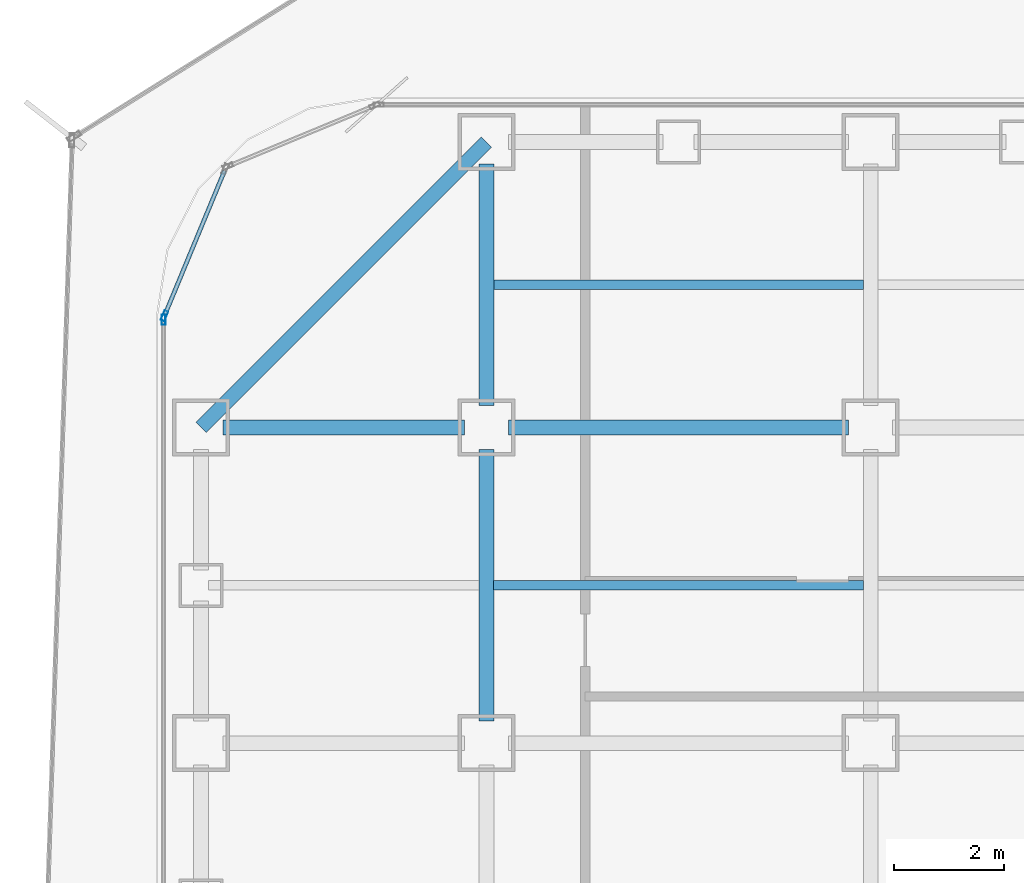
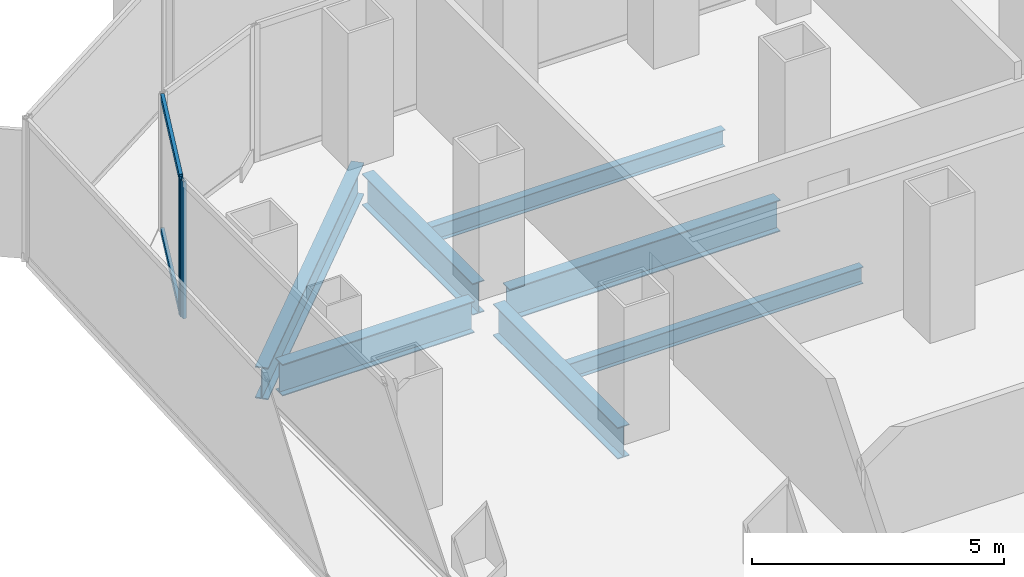
# One storey, part 10 of 22: 7 beams, 4 members, 2 elements without a shape of their own.
"""IFC4 building model written with IfcOpenShell, lengths in metres."""

from ifc_helpers import new_model, si_unit, direction, frame, origin, origin_2d, place, context, subcontext, project, spatial, hollow_rectangle, i_section, extrude, source, transform, mapped, material, layer, layer_set, material_profile, profile_set, type_object, element, aggregate, save


model = new_model("IFC4")

# Units and contexts
model_context = context("Model", 3, precision=1e-05, world=origin(), true_north=direction((0.0, 1.0)))
body_context = subcontext(model_context, "Body", "Model", "MODEL_VIEW")
ifc_project = project(units=[si_unit("LENGTHUNIT", "METRE"), si_unit("AREAUNIT", "SQUARE_METRE"), si_unit("VOLUMEUNIT", "CUBIC_METRE"), si_unit("PLANEANGLEUNIT", "RADIAN"), si_unit("MASSUNIT", "GRAM", prefix="KILO")], contexts=[model_context])

# Site, building, storey
site_placement = place(None, origin())
site = spatial("IfcSite", under=ifc_project, at=site_placement, CompositionType="ELEMENT")
building_placement = place(site_placement, origin())
building = spatial("IfcBuilding", under=site, at=building_placement, Name="Kolveth Station Tower", CompositionType="ELEMENT")
storey_placement = place(building_placement, frame((0.0, 0.0, 69.300048828125)))
storey = spatial("IfcBuildingStorey", under=building, at=storey_placement, Name="L18", CompositionType="ELEMENT", Elevation=69.300048828125)

# Beams
ifc_material_1 = material(Name="Steel S355", Category="steel")
ifc_material_profile_1 = material_profile(ifc_material_1, i_section(OverallWidth=0.26904296875, OverallDepth=0.77490234375, WebThickness=0.01708984375, FlangeThickness=0.0283203125, at=origin_2d()), Name="W760x220")
ifc_profile_set_1 = profile_set([ifc_material_profile_1], Name="Steel S355")
beam_type_1 = type_object("IfcBeamType", Name="Beam_SP1", PredefinedType="SPANDREL", material=ifc_profile_set_1)
shared_shape_1 = source(origin(), body_context, "Body", "SweptSolid", [
    extrude(i_section(OverallWidth=0.26904296875, OverallDepth=0.77490234375, WebThickness=0.01708984375, FlangeThickness=0.0283203125, at=origin_2d()), origin(), (0.0, 0.0, 1.0), 7.353759765625),
])
beam_1_placement = place(storey_placement, frame((6.0, 39.699951171875, -0.66748046875), z_axis=(-0.707106781187, -0.707106781187, 0.0), x_axis=(0.707106781187, -0.707106781187, 0.0)))
element("IfcBeam", 1, at=beam_1_placement, inside=storey, type_object=beam_type_1, Name="L18 Corner Edge Girder BM-L18-CNR-NW", PredefinedType="SPANDREL", context=body_context, shape_type="MappedRepresentation", body=[
    mapped(shared_shape_1, transform((0.0, 0.0, 0.0), x_axis=(1.0, 0.0, 0.0), y_axis=(0.0, 1.0, 0.0), z_axis=(0.0, 0.0, 1.0), scale=1.0)),
])
ifc_material_profile_2 = material_profile(ifc_material_1, i_section(OverallWidth=0.26708984375, OverallDepth=0.76611328125, WebThickness=0.014892578125, FlangeThickness=0.023681640625, at=origin_2d()), Name="W760x185")
ifc_profile_set_2 = profile_set([ifc_material_profile_2], Name="Steel S355")
beam_type_2 = type_object("IfcBeamType", Name="Beam_B3", PredefinedType="BEAM", material=ifc_profile_set_2)
shared_shape_2 = source(origin(), body_context, "Body", "SweptSolid", [
    extrude(i_section(OverallWidth=0.26708984375, OverallDepth=0.76611328125, WebThickness=0.014892578125, FlangeThickness=0.023681640625, at=origin_2d()), origin(), (0.0, 0.0, 1.0), 4.400146484375),
])
for number, where, z_axis, x_axis, name in (
    (2, (1.199951171875, 34.5, -0.6630859375), (1.0, 0.0, 0.0), (0.0, 1.0, 0.0), "L18 Primary Girder BM-L18-GY345-1"),
    (3, (6.0, 34.89990234375, -0.6630859375), (0.0, 1.0, 0.0), (-1.0, 0.0, 0.0), "L18 Primary Girder BM-L18-GX60-7"),
):
    element("IfcBeam", number, at=place(storey_placement, frame(where, z_axis=z_axis, x_axis=x_axis)), inside=storey, type_object=beam_type_2, Name=name, PredefinedType="BEAM", context=body_context, shape_type="MappedRepresentation", body=[
        mapped(shared_shape_2, transform((0.0, 0.0, 0.0), x_axis=(1.0, 0.0, 0.0), y_axis=(0.0, 1.0, 0.0), z_axis=(0.0, 0.0, 1.0), scale=1.0)),
    ])
shared_shape_3 = source(origin(), body_context, "Body", "SweptSolid", [
    extrude(i_section(OverallWidth=0.26708984375, OverallDepth=0.76611328125, WebThickness=0.014892578125, FlangeThickness=0.023681640625, at=origin_2d()), origin(), (0.0, 0.0, 1.0), 6.2001953125),
])
beam_2_placement = place(storey_placement, frame((6.39990234375, 34.5, -0.6630859375), z_axis=(1.0, 0.0, 0.0), x_axis=(0.0, 1.0, 0.0)))
element("IfcBeam", 4, at=beam_2_placement, inside=storey, type_object=beam_type_2, Name="L18 Primary Girder BM-L18-GY345-2", PredefinedType="BEAM", context=body_context, shape_type="MappedRepresentation", body=[
    mapped(shared_shape_3, transform((0.0, 0.0, 0.0), x_axis=(1.0, 0.0, 0.0), y_axis=(0.0, 1.0, 0.0), z_axis=(0.0, 0.0, 1.0), scale=1.0)),
])
shared_shape_4 = source(origin(), body_context, "Body", "SweptSolid", [
    extrude(i_section(OverallWidth=0.26708984375, OverallDepth=0.76611328125, WebThickness=0.014892578125, FlangeThickness=0.023681640625, at=origin_2d()), origin(), (0.0, 0.0, 1.0), 4.9501953125),
])
beam_3_placement = place(storey_placement, frame((6.0, 29.14990234375, -0.6630859375), z_axis=(0.0, 1.0, 0.0), x_axis=(-1.0, 0.0, 0.0)))
element("IfcBeam", 5, at=beam_3_placement, inside=storey, type_object=beam_type_2, Name="L18 Primary Girder BM-L18-GX60-6", PredefinedType="BEAM", context=body_context, shape_type="MappedRepresentation", body=[
    mapped(shared_shape_4, transform((0.0, 0.0, 0.0), x_axis=(1.0, 0.0, 0.0), y_axis=(0.0, 1.0, 0.0), z_axis=(0.0, 0.0, 1.0), scale=1.0)),
])
ifc_material_profile_3 = material_profile(ifc_material_1, i_section(OverallWidth=0.177978515625, OverallDepth=0.406982421875, WebThickness=0.0078125, FlangeThickness=0.0126953125, at=origin_2d()), Name="W410x60")
ifc_profile_set_3 = profile_set([ifc_material_profile_3], Name="Steel S355")
beam_type_3 = type_object("IfcBeamType", Name="Beam_J1", PredefinedType="JOIST", material=ifc_profile_set_3)
shared_shape_5 = source(origin(), body_context, "Body", "SweptSolid", [
    extrude(i_section(OverallWidth=0.177978515625, OverallDepth=0.406982421875, WebThickness=0.0078125, FlangeThickness=0.0126953125, at=origin_2d()), origin(), (0.0, 0.0, 1.0), 6.73681640625),
])
for number, where, z_axis, x_axis, name in (
    (6, (6.131591796875, 31.625, -0.483642578125), (1.0, 0.0, 0.0), (0.0, 1.0, 0.0), "L18 Secondary Joist JST-L18-2-6"),
    (7, (6.131591796875, 37.10009765625, -0.483642578125), (1.0, 0.0, 0.0), (0.0, 1.0, 0.0), "L18 Secondary Joist JST-L18-2-7"),
):
    element("IfcBeam", number, at=place(storey_placement, frame(where, z_axis=z_axis, x_axis=x_axis)), inside=storey, type_object=beam_type_3, Name=name, PredefinedType="JOIST", context=body_context, shape_type="MappedRepresentation", body=[
        mapped(shared_shape_5, transform((0.0, 0.0, 0.0), x_axis=(1.0, 0.0, 0.0), y_axis=(0.0, 1.0, 0.0), z_axis=(0.0, 0.0, 1.0), scale=1.0)),
    ])

# Curtain wall, member
ifc_material_2 = material(Name="Aluminium 6063-T6 and low-E dark glass", Category="aluminium")
ifc_layer = layer(ifc_material_2, 0.179931640625)
ifc_layer_set = layer_set([ifc_layer], Name="Aluminium 6063-T6 and low-E dark glass")
curtain_wall_type = type_object("IfcCurtainWallType", Name="CurtainWall_CW-Z1", PredefinedType="NOTDEFINED", material=ifc_layer_set)
curtain_wall_1_placement = place(storey_placement, origin())
curtain_wall_1 = element("IfcCurtainWall", 8, at=curtain_wall_1_placement, inside=storey, type_object=curtain_wall_type, Name="L18 Inner Thermal Curtain Wall 8", PredefinedType="NOTDEFINED")
ifc_material_3 = material(Name="Black anodized aluminium 6063-T6", Category="aluminium")
ifc_material_profile_4 = material_profile(ifc_material_3, hollow_rectangle(XDim=0.074951171875, YDim=0.18994140625, WallThickness=0.0048828125, at=origin_2d()), Name="ALU-75x190x5")
ifc_profile_set_4 = profile_set([ifc_material_profile_4], Name="Black anodized aluminium 6063-T6")
member_type_1 = type_object("IfcMemberType", Name="Mullion_ML1", PredefinedType="MULLION", material=ifc_profile_set_4)
shared_shape_6 = source(origin(), body_context, "Body", "SweptSolid", [
    extrude(hollow_rectangle(XDim=0.074951171875, YDim=0.18994140625, WallThickness=0.0048828125, at=origin_2d()), origin(), (0.0, 0.0, 1.0), 3.320068359375),
])
member_1_placement = place(storey_placement, frame((0.13427734375, 36.53466796875, 0.0), z_axis=(0.0, 0.0, 1.0), x_axis=(0.923883857728, -0.382672990201, 0.0)))
member_1 = element("IfcMember", 9, at=member_1_placement, type_object=member_type_1, Name="CW-Z1 mullion 2", PredefinedType="MULLION", context=body_context, shape_type="MappedRepresentation", body=[
    mapped(shared_shape_6, transform((0.0, 0.0, 0.0), x_axis=(1.0, 0.0, 0.0), y_axis=(0.0, 1.0, 0.0), z_axis=(0.0, 0.0, 1.0), scale=1.0)),
])

curtain_wall_2_placement = place(storey_placement, origin())
curtain_wall_2 = element("IfcCurtainWall", 10, at=curtain_wall_2_placement, inside=storey, type_object=curtain_wall_type, Name="L18 Inner Thermal Curtain Wall 9", PredefinedType="NOTDEFINED")
member_2_placement = place(storey_placement, frame((0.1201171875, 36.46240234375, 0.0), z_axis=(0.0, 0.0, 1.0), x_axis=(1.0, 0.0, 0.0)))
member_2 = element("IfcMember", 11, at=member_2_placement, type_object=member_type_1, Name="CW-Z1 mullion 1", PredefinedType="MULLION", context=body_context, shape_type="MappedRepresentation", body=[
    mapped(shared_shape_6, transform((0.0, 0.0, 0.0), x_axis=(1.0, 0.0, 0.0), y_axis=(0.0, 1.0, 0.0), z_axis=(0.0, 0.0, 1.0), scale=1.0)),
])
aggregate(curtain_wall_2, [member_2])

# Member
ifc_material_profile_5 = material_profile(ifc_material_3, hollow_rectangle(XDim=0.074951171875, YDim=0.159912109375, WallThickness=0.0048828125, at=origin_2d()), Name="ALU-75x160x5")
ifc_profile_set_5 = profile_set([ifc_material_profile_5], Name="Black anodized aluminium 6063-T6")
member_type_2 = type_object("IfcMemberType", Name="Transom_TR1", PredefinedType="USERDEFINED", material=ifc_profile_set_5)
shared_shape_7 = source(origin(), body_context, "Body", "SweptSolid", [
    extrude(hollow_rectangle(XDim=0.074951171875, YDim=0.159912109375, WallThickness=0.0048828125, at=origin_2d()), origin(), (0.0, 0.0, 1.0), 2.819580078125),
])
member_3_placement = place(storey_placement, frame((1.227783203125, 39.17431640625, 0.037353515625), z_axis=(-0.382708655389, -0.923869084389, 0.0), x_axis=(0.923869084389, -0.382708655389, 0.0)))
member_3 = element("IfcMember", 12, at=member_3_placement, type_object=member_type_2, Name="CW-Z1 transom 1.1", ObjectType="TRANSOM", PredefinedType="USERDEFINED", context=body_context, shape_type="MappedRepresentation", body=[
    mapped(shared_shape_7, transform((0.0, 0.0, 0.0), x_axis=(1.0, 0.0, 0.0), y_axis=(0.0, 1.0, 0.0), z_axis=(0.0, 0.0, 1.0), scale=1.0)),
])

member_4_placement = place(storey_placement, frame((1.227783203125, 39.17431640625, 3.282470703125), z_axis=(-0.382708655389, -0.923869084389, 0.0), x_axis=(0.923869084389, -0.382708655389, 0.0)))
member_4 = element("IfcMember", 13, at=member_4_placement, type_object=member_type_2, Name="CW-Z1 transom 1.2", ObjectType="TRANSOM", PredefinedType="USERDEFINED", context=body_context, shape_type="MappedRepresentation", body=[
    mapped(shared_shape_7, transform((0.0, 0.0, 0.0), x_axis=(1.0, 0.0, 0.0), y_axis=(0.0, 1.0, 0.0), z_axis=(0.0, 0.0, 1.0), scale=1.0)),
])

aggregate(curtain_wall_1, [member_1, member_3, member_4])

save(model, "model.ifc")
